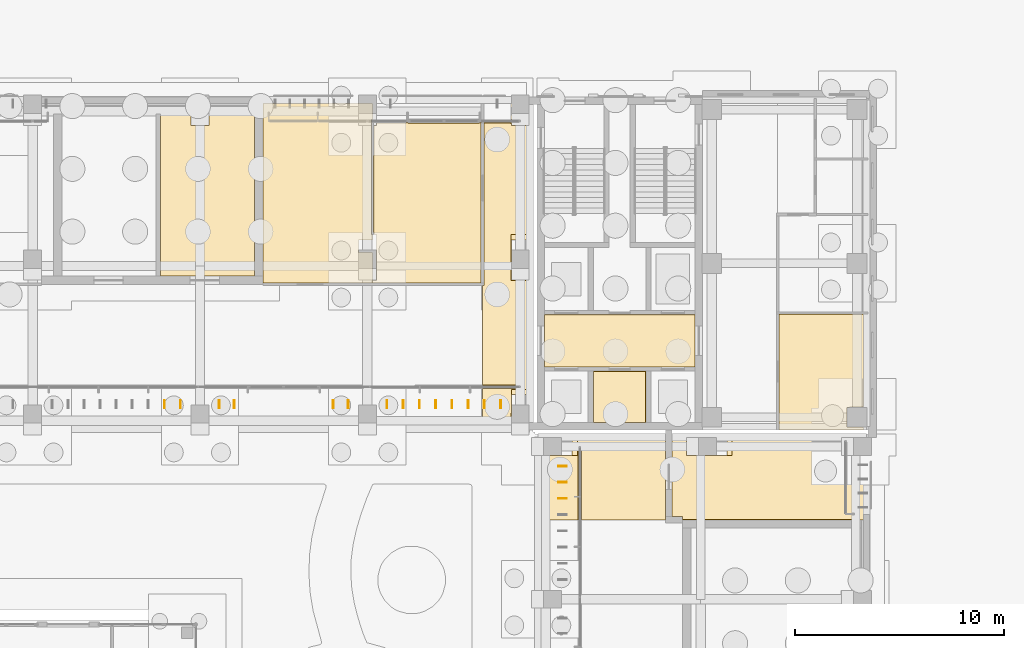
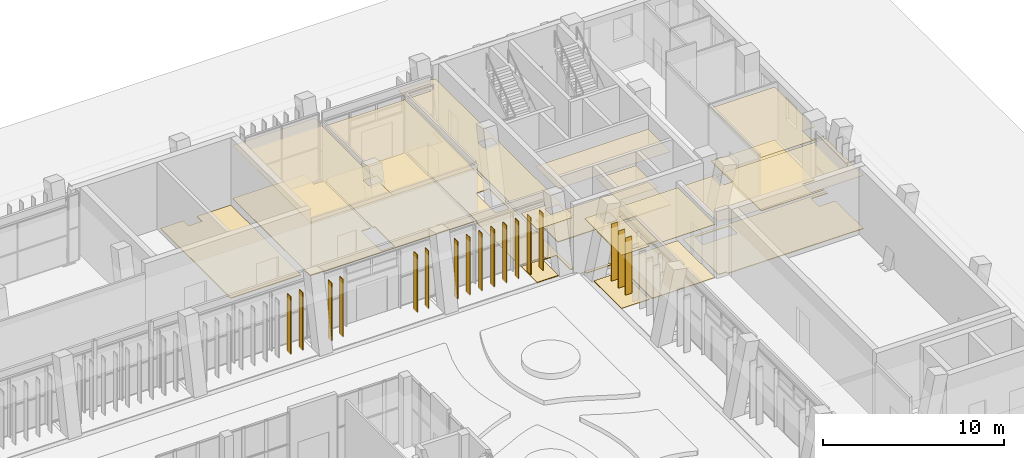
# One storey, part 142 of 144: 17 coverings, 17 shading devices.
"""IFC4 building model written with IfcOpenShell, lengths in metres."""

from ifc_helpers import new_model, si_unit, direction, frame, origin, origin_2d, place, context, subcontext, project, spatial, polyline, rectangle, outline, extrude, material, layer, layer_set, type_object, element, save


model = new_model("IFC4")

# Units and contexts
model_context = context("Model", 3, precision=1e-05, world=origin(), true_north=direction((0.0, 1.0)))
body_context = subcontext(model_context, "Body", "Model", "MODEL_VIEW")
ifc_project = project(units=[si_unit("LENGTHUNIT", "METRE"), si_unit("AREAUNIT", "SQUARE_METRE"), si_unit("VOLUMEUNIT", "CUBIC_METRE"), si_unit("PLANEANGLEUNIT", "RADIAN"), si_unit("MASSUNIT", "GRAM", prefix="KILO")], contexts=[model_context])

# Site, building, storey
site_placement = place(None, origin())
site = spatial("IfcSite", under=ifc_project, at=site_placement, CompositionType="ELEMENT")
building_placement = place(site_placement, origin())
building = spatial("IfcBuilding", under=site, at=building_placement, Name="Lantern Court Media Centre", CompositionType="ELEMENT")
storey_placement = place(building_placement, origin())
storey = spatial("IfcBuildingStorey", under=building, at=storey_placement, Name="L00", CompositionType="ELEMENT", Elevation=0.0)

# Coverings
ifc_material_1 = material(Name="Carpet")
ifc_layer_1 = layer(ifc_material_1, 0.050048828125)
ifc_layer_set_1 = layer_set([ifc_layer_1], Name="Carpet")
covering_type_1 = type_object("IfcCoveringType", Name="Carpet floor finish", PredefinedType="FLOORING", material=ifc_layer_set_1)
covering_1_placement = place(storey_placement, origin())
element("IfcCovering", 1, at=covering_1_placement, inside=storey, type_object=covering_type_1, Name="Render Room 01 floor finish", PredefinedType="FLOORING", context=body_context, shape_type="SweptSolid", body=[
    extrude(outline(polyline([(62.114990234375, 111.195068359375), (63.570068359375, 111.195068359375), (63.572265625, 110.637451171875), (64.425048828125, 110.63671875), (64.429931640625, 111.195068359375), (66.594970703125, 111.195068359375), (66.594970703125, 103.455078125), (62.114990234375, 103.455078125), (62.114990234375, 111.195068359375)])), origin(), (0.0, 0.0, 1.0), 0.050048828125),
])
covering_2_placement = place(storey_placement, origin())
element("IfcCovering", 2, at=covering_2_placement, inside=storey, type_object=covering_type_1, Name="Media Training Room 01 floor finish", PredefinedType="FLOORING", context=body_context, shape_type="SweptSolid", body=[
    extrude(outline(polyline([(72.25, 103.117431640625), (67.0048828125, 103.117431640625), (67.0, 111.695068359375), (71.570068359375, 111.699951171875), (71.570556640625, 110.639404296875), (72.195068359375, 110.63671875), (72.195068359375, 105.429931640625), (71.5703125, 105.426513671875), (71.570068359375, 103.2412109375), (72.25, 103.23681640625), (72.25, 103.117431640625)])), origin(), (0.0, 0.0, 1.0), 0.050048828125),
])
covering_3_placement = place(storey_placement, origin())
element("IfcCovering", 3, at=covering_3_placement, inside=storey, type_object=covering_type_1, Name="Media Training Room 02 floor finish", PredefinedType="FLOORING", context=body_context, shape_type="SweptSolid", body=[
    extrude(outline(polyline([(72.25, 103.23681640625), (72.429931640625, 103.24169921875), (72.429931640625, 105.425537109375), (72.304931640625, 105.429931640625), (72.304931640625, 110.63671875), (72.428466796875, 110.63818359375), (72.429931640625, 110.77001953125), (73.945068359375, 110.77001953125), (73.949951171875, 110.7451171875), (77.35009765625, 110.7451171875), (77.35498046875, 110.77001953125), (77.4326171875, 110.77001953125), (77.4326171875, 103.117431640625), (72.25, 103.117431640625), (72.25, 103.23681640625)])), origin(), (0.0, 0.0, 1.0), 0.050048828125),
])
covering_4_placement = place(storey_placement, origin())
element("IfcCovering", 4, at=covering_4_placement, inside=storey, type_object=covering_type_1, Name="Studio Control Room 01 floor finish", PredefinedType="FLOORING", context=body_context, shape_type="SweptSolid", body=[
    extrude(outline(polyline([(95.699951171875, 94.8701171875), (95.695068359375, 91.800048828125), (87.050048828125, 91.804931640625), (87.04638671875, 91.954833984375), (86.554931640625, 91.955078125), (86.554931640625, 95.89990234375), (95.699951171875, 95.89990234375), (95.699951171875, 95.72998046875), (94.63671875, 95.72509765625), (94.638427734375, 94.87109375), (95.699951171875, 94.8701171875)]), holes=[polyline([(87.23681640625, 94.875), (89.427001953125, 94.870361328125), (89.4296875, 95.726806640625), (87.23974609375, 95.729736328125), (87.23681640625, 94.875)])]), origin(), (0.0, 0.0, 1.0), 0.050048828125),
])
covering_5_placement = place(storey_placement, origin())
element("IfcCovering", 5, at=covering_5_placement, inside=storey, type_object=covering_type_1, Name="Engineering Workshop floor finish", PredefinedType="FLOORING", context=body_context, shape_type="SweptSolid", body=[
    extrude(outline(polyline([(95.699951171875, 96.10009765625), (91.66748046875, 96.10009765625), (91.66748046875, 101.615966796875), (95.699951171875, 101.615966796875), (95.699951171875, 97.179931640625), (94.919921875, 97.175048828125), (94.9208984375, 96.22216796875), (95.699951171875, 96.219970703125), (95.699951171875, 96.10009765625)])), origin(), (0.0, 0.0, 1.0), 0.050048828125),
])
ifc_material_2 = material(Name="Ceramic tile")
ifc_layer_2 = layer(ifc_material_2, 0.050048828125)
ifc_layer_set_2 = layer_set([ifc_layer_2], Name="Ceramic tile")
covering_type_2 = type_object("IfcCoveringType", Name="Ceramic tile floor finish", PredefinedType="FLOORING", material=ifc_layer_set_2)
covering_6_placement = place(storey_placement, origin())
element("IfcCovering", 6, at=covering_6_placement, inside=storey, type_object=covering_type_2, Name="Accessible WC floor finish", PredefinedType="FLOORING", context=body_context, shape_type="SweptSolid", body=[
    extrude(outline(polyline([(82.804931640625, 96.455078125), (82.804931640625, 98.89501953125), (85.294921875, 98.89501953125), (85.294921875, 96.455078125), (82.804931640625, 96.455078125)])), origin(), (0.0, 0.0, 1.0), 0.050048828125),
])
ifc_material_3 = material(Name="Mineral fibre ceiling tile")
ifc_layer_3 = layer(ifc_material_3, 0.02001953125)
ifc_layer_set_3 = layer_set([ifc_layer_3], Name="Mineral fibre ceiling tile")
covering_type_3 = type_object("IfcCoveringType", Name="Suspended ceiling tile", PredefinedType="CEILING", material=ifc_layer_set_3)
covering_7_placement = place(storey_placement, frame((0.0, 0.0, 3.60009765625)))
element("IfcCovering", 7, at=covering_7_placement, inside=storey, type_object=covering_type_3, Name="End Lobby ceiling", PredefinedType="CEILING", context=body_context, shape_type="SweptSolid", body=[
    extrude(outline(polyline([(79.89990234375, 96.450439453125), (79.724609375, 96.450439453125), (79.724609375, 96.300048828125), (77.5, 96.300048828125), (77.5, 98.074462890625), (79.1005859375, 98.074951171875), (79.10009765625, 98.2255859375), (77.5, 98.2255859375), (77.5, 102.987060546875), (77.56298828125, 102.987548828125), (77.56298828125, 110.77001953125), (77.5, 110.7744140625), (79.1005859375, 110.77490234375), (79.10009765625, 110.925537109375), (77.5, 110.925537109375), (77.56298828125, 110.929931640625), (77.56298828125, 111.699951171875), (79.724609375, 111.699951171875), (79.724853515625, 111.6494140625), (79.89990234375, 111.6494140625), (79.89990234375, 96.450439453125)]), holes=[polyline([(79.72509765625, 97.174560546875), (79.725341796875, 97.777587890625), (78.87451171875, 97.77734375), (78.874755859375, 97.174560546875), (79.72509765625, 97.174560546875)]), polyline([(79.72509765625, 104.574462890625), (79.725341796875, 105.177490234375), (78.87451171875, 105.177490234375), (78.874755859375, 104.574462890625), (79.72509765625, 104.574462890625)])]), origin(), (0.0, 0.0, 1.0), 0.02001953125),
])
covering_8_placement = place(storey_placement, frame((0.0, 0.0, 3.60009765625)))
element("IfcCovering", 8, at=covering_8_placement, inside=storey, type_object=covering_type_3, Name="Media Training Room 01 ceiling", PredefinedType="CEILING", context=body_context, shape_type="SweptSolid", body=[
    extrude(outline(polyline([(72.25, 103.113037109375), (67.0048828125, 103.113037109375), (67.00048828125, 103.050048828125), (67.0, 111.699462890625), (72.25, 111.699951171875), (72.25, 110.925537109375), (72.199462890625, 110.925048828125), (72.199462890625, 105.429931640625), (72.25, 105.429443359375), (72.25, 105.177490234375), (71.574462890625, 105.177001953125), (71.57470703125, 104.57470703125), (72.25, 104.574462890625), (72.25, 103.113037109375)])), origin(), (0.0, 0.0, 1.0), 0.02001953125),
])
covering_9_placement = place(storey_placement, frame((0.0, 0.0, 3.60009765625)))
element("IfcCovering", 9, at=covering_9_placement, inside=storey, type_object=covering_type_3, Name="Media Training Room 02 ceiling", PredefinedType="CEILING", context=body_context, shape_type="SweptSolid", body=[
    extrude(outline(polyline([(77.5, 110.7705078125), (77.43701171875, 110.77001953125), (77.43701171875, 103.113037109375), (72.25, 103.113037109375), (72.25, 104.574462890625), (72.425537109375, 104.574951171875), (72.425537109375, 105.17724609375), (72.25, 105.177490234375), (72.25, 105.429443359375), (72.300537109375, 105.429931640625), (72.300537109375, 110.7744140625), (73.949462890625, 110.7744140625), (73.949951171875, 110.74951171875), (77.35009765625, 110.74951171875), (77.3505859375, 110.7744140625), (77.5, 110.7705078125)])), origin(), (0.0, 0.0, 1.0), 0.02001953125),
])
covering_10_placement = place(storey_placement, frame((0.0, 0.0, 3.60009765625)))
element("IfcCovering", 10, at=covering_10_placement, inside=storey, type_object=covering_type_3, Name="Studio Control Room 01 ceiling", PredefinedType="CEILING", context=body_context, shape_type="SweptSolid", body=[
    extrude(outline(polyline([(95.699951171875, 95.89990234375), (95.699462890625, 91.800048828125), (87.04541015625, 91.800048828125), (87.045166015625, 91.950439453125), (86.550537109375, 91.950439453125), (86.550537109375, 95.89990234375), (95.699951171875, 95.89990234375)]), holes=[polyline([(89.177001953125, 94.87451171875), (89.177490234375, 95.725341796875), (88.57470703125, 95.725341796875), (88.574462890625, 94.874755859375), (89.177001953125, 94.87451171875)])]), origin(), (0.0, 0.0, 1.0), 0.02001953125),
])
covering_11_placement = place(storey_placement, frame((0.0, 0.0, 3.60009765625)))
element("IfcCovering", 11, at=covering_11_placement, inside=storey, type_object=covering_type_3, Name="End Lobby ceiling", PredefinedType="CEILING", context=body_context, shape_type="SweptSolid", body=[
    extrude(outline(polyline([(80.300048828125, 91.800048828125), (80.300048828125, 95.89990234375), (86.24951171875, 95.89990234375), (86.24951171875, 91.800048828125), (82.2255859375, 91.800048828125), (82.22509765625, 95.1005859375), (82.074462890625, 95.10009765625), (82.074462890625, 91.800048828125), (80.300048828125, 91.800048828125)]), holes=[polyline([(81.777099609375, 94.87451171875), (81.777587890625, 95.725341796875), (81.1748046875, 95.725341796875), (81.174560546875, 94.874755859375), (81.777099609375, 94.87451171875)])]), origin(), (0.0, 0.0, 1.0), 0.02001953125),
])
covering_12_placement = place(storey_placement, frame((0.0, 0.0, 3.60009765625)))
element("IfcCovering", 12, at=covering_12_placement, inside=storey, type_object=covering_type_3, Name="Lift Lobby ceiling", PredefinedType="CEILING", context=body_context, shape_type="SweptSolid", body=[
    extrude(outline(polyline([(80.450439453125, 99.1005859375), (80.450439453125, 101.599609375), (87.6494140625, 101.599609375), (87.6494140625, 99.1005859375), (80.450439453125, 99.1005859375)])), origin(), (0.0, 0.0, 1.0), 0.02001953125),
])
covering_13_placement = place(storey_placement, frame((0.0, 0.0, 3.60009765625)))
element("IfcCovering", 13, at=covering_13_placement, inside=storey, type_object=covering_type_3, Name="Accessible WC ceiling", PredefinedType="CEILING", context=body_context, shape_type="SweptSolid", body=[
    extrude(outline(polyline([(82.800537109375, 96.450439453125), (82.800537109375, 98.8994140625), (85.299560546875, 98.8994140625), (85.299560546875, 96.450439453125), (82.800537109375, 96.450439453125)])), origin(), (0.0, 0.0, 1.0), 0.02001953125),
])
covering_14_placement = place(storey_placement, frame((0.0, 0.0, 3.60009765625)))
element("IfcCovering", 14, at=covering_14_placement, inside=storey, type_object=covering_type_3, Name="Engineering Workshop ceiling", PredefinedType="CEILING", context=body_context, shape_type="SweptSolid", body=[
    extrude(outline(polyline([(95.699951171875, 96.10009765625), (91.6630859375, 96.10009765625), (91.6630859375, 101.62060546875), (95.699951171875, 101.62060546875), (95.699951171875, 97.175537109375), (94.924560546875, 97.175048828125), (94.924560546875, 96.224609375), (95.699951171875, 96.224609375), (95.699951171875, 96.10009765625)])), origin(), (0.0, 0.0, 1.0), 0.02001953125),
])
ifc_material_4 = material(Name="Terrazzo")
ifc_layer_4 = layer(ifc_material_4, 0.050048828125)
ifc_layer_set_4 = layer_set([ifc_layer_4], Name="Terrazzo")
covering_type_4 = type_object("IfcCoveringType", Name="Terrazzo floor finish", PredefinedType="FLOORING", material=ifc_layer_set_4)
covering_15_placement = place(storey_placement, origin())
element("IfcCovering", 15, at=covering_15_placement, inside=storey, type_object=covering_type_4, Name="End Lobby floor finish", PredefinedType="FLOORING", context=body_context, shape_type="SweptSolid", body=[
    extrude(outline(polyline([(79.89990234375, 96.455078125), (79.72998046875, 96.455078125), (79.729248046875, 98.02783203125), (78.87451171875, 98.030029296875), (78.8701171875, 96.300048828125), (77.5, 96.300048828125), (77.5, 98.070068359375), (79.10498046875, 98.074951171875), (79.1005859375, 98.22998046875), (77.5, 98.22998046875), (77.5, 102.982421875), (77.5673828125, 102.987548828125), (77.5673828125, 110.77001953125), (78.8701171875, 110.77001953125), (78.8740234375, 110.63671875), (79.726806640625, 110.636962890625), (79.72998046875, 111.64501953125), (79.89990234375, 111.64501953125), (79.89990234375, 96.455078125)]), holes=[polyline([(78.8701171875, 103.24169921875), (79.729736328125, 103.23974609375), (79.726806640625, 105.4296875), (78.870361328125, 105.427001953125), (78.8701171875, 103.24169921875)])]), origin(), (0.0, 0.0, 1.0), 0.050048828125),
])
covering_16_placement = place(storey_placement, origin())
element("IfcCovering", 16, at=covering_16_placement, inside=storey, type_object=covering_type_4, Name="End Lobby floor finish", PredefinedType="FLOORING", context=body_context, shape_type="SweptSolid", body=[
    extrude(outline(polyline([(80.300048828125, 95.89990234375), (86.2451171875, 95.89990234375), (86.2451171875, 91.800048828125), (82.22998046875, 91.800048828125), (82.22509765625, 95.10498046875), (82.070068359375, 95.10009765625), (82.070068359375, 91.800048828125), (80.300048828125, 91.800048828125), (80.300048828125, 94.8701171875), (82.030029296875, 94.875), (82.02734375, 95.7294921875), (80.300048828125, 95.72998046875), (80.300048828125, 95.89990234375)])), origin(), (0.0, 0.0, 1.0), 0.050048828125),
])
covering_17_placement = place(storey_placement, origin())
element("IfcCovering", 17, at=covering_17_placement, inside=storey, type_object=covering_type_4, Name="Lift Lobby floor finish", PredefinedType="FLOORING", context=body_context, shape_type="SweptSolid", body=[
    extrude(outline(polyline([(80.455078125, 99.10498046875), (80.455078125, 101.594970703125), (87.64501953125, 101.594970703125), (87.64501953125, 99.10498046875), (80.455078125, 99.10498046875)])), origin(), (0.0, 0.0, 1.0), 0.050048828125),
])

# Shading devices
ifc_material_5 = material(Name="Bronze anodised aluminium louvre", Category="aluminium")
ifc_layer_5 = layer(ifc_material_5, 0.0400390625)
ifc_layer_set_5 = layer_set([ifc_layer_5], Name="Bronze anodised aluminium louvre")
shading_device_type = type_object("IfcShadingDeviceType", Name="Vertical louvre 40x400 under beam", PredefinedType="USERDEFINED", material=ifc_layer_set_5)
for number, where, z_axis, x_axis, name in (
    (18, (62.300048828125, 97.320068359375, 0.0), (0.0, 0.0, 1.0), (1.0, 0.0, 0.0), "Vertical louvre N inner L00"),
    (19, (63.066650390625, 97.320068359375, 0.0), (0.0, 0.0, 1.0), (1.0, 0.0, 0.0), "Vertical louvre N inner L00"),
    (20, (64.91259765625, 97.320068359375, 0.0), (0.0, 0.0, 1.0), (1.0, 0.0, 0.0), "Vertical louvre N inner L00"),
    (21, (65.637451171875, 97.320068359375, 0.0), (0.0, 0.0, 1.0), (1.0, 0.0, 0.0), "Vertical louvre N inner L00"),
    (22, (70.362548828125, 97.320068359375, 0.0), (0.0, 0.0, 1.0), (1.0, 0.0, 0.0), "Vertical louvre N inner L00"),
    (23, (71.08740234375, 97.320068359375, 0.0), (0.0, 0.0, 1.0), (1.0, 0.0, 0.0), "Vertical louvre N inner L00"),
    (24, (72.9375, 97.320068359375, 0.0), (0.0, 0.0, 1.0), (1.0, 0.0, 0.0), "Vertical louvre N inner L00"),
    (25, (73.71240234375, 97.320068359375, 0.0), (0.0, 0.0, 1.0), (1.0, 0.0, 0.0), "Vertical louvre N inner L00"),
    (26, (74.487548828125, 97.320068359375, 0.0), (0.0, 0.0, 1.0), (1.0, 0.0, 0.0), "Vertical louvre N inner L00"),
    (27, (75.262451171875, 97.320068359375, 0.0), (0.0, 0.0, 1.0), (1.0, 0.0, 0.0), "Vertical louvre N inner L00"),
    (28, (76.03759765625, 97.320068359375, 0.0), (0.0, 0.0, 1.0), (1.0, 0.0, 0.0), "Vertical louvre N inner L00"),
    (29, (76.8125, 97.320068359375, 0.0), (0.0, 0.0, 1.0), (1.0, 0.0, 0.0), "Vertical louvre N inner L00"),
    (30, (77.58740234375, 97.320068359375, 0.0), (0.0, 0.0, 1.0), (1.0, 0.0, 0.0), "Vertical louvre N inner L00"),
    (31, (78.362548828125, 97.320068359375, 0.0), (0.0, 0.0, 1.0), (1.0, 0.0, 0.0), "Vertical louvre N inner L00"),
):
    element("IfcShadingDevice", number, at=place(storey_placement, frame(where, z_axis=z_axis, x_axis=x_axis)), inside=storey, type_object=shading_device_type, Name=name, ObjectType="VERTICAL LOUVRE", PredefinedType="USERDEFINED", context=body_context, shape_type="SweptSolid", body=[
        extrude(rectangle(XDim=0.0400390625, YDim=0.39990234375, at=origin_2d()), origin(), (0.0, 0.0, 1.0), 3.89990234375),
    ])
for number, where, z_axis, x_axis, name in (
    (32, (81.320068359375, 92.8125, 0.0), (0.0, 0.0, 1.0), (1.0, 0.0, 0.0), "Vertical louvre E inner L00"),
    (33, (81.320068359375, 93.58740234375, 0.0), (0.0, 0.0, 1.0), (1.0, 0.0, 0.0), "Vertical louvre E inner L00"),
    (34, (81.320068359375, 94.362548828125, 0.0), (0.0, 0.0, 1.0), (1.0, 0.0, 0.0), "Vertical louvre E inner L00"),
):
    element("IfcShadingDevice", number, at=place(storey_placement, frame(where, z_axis=z_axis, x_axis=x_axis)), inside=storey, type_object=shading_device_type, Name=name, ObjectType="VERTICAL LOUVRE", PredefinedType="USERDEFINED", context=body_context, shape_type="SweptSolid", body=[
        extrude(rectangle(XDim=0.39990234375, YDim=0.0400390625, at=origin_2d()), origin(), (0.0, 0.0, 1.0), 3.89990234375),
    ])

save(model, "model.ifc")
